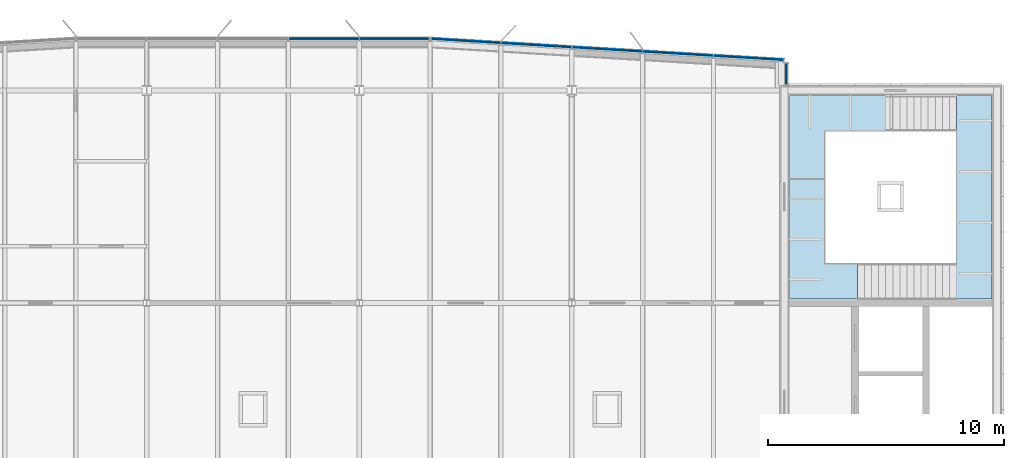
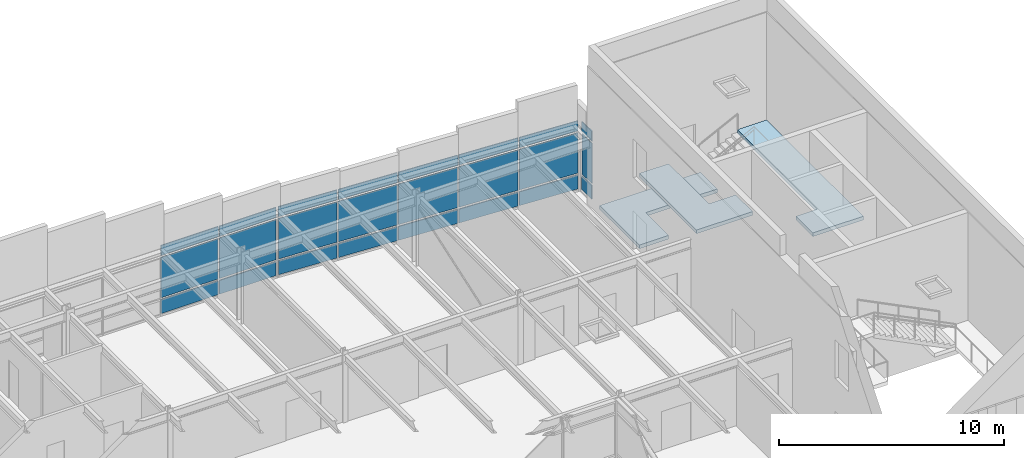
# One storey, part 14 of 23: 24 plates, 3 slabs, 4 elements without a shape of their own.
"""IFC4 building model written with IfcOpenShell, lengths in metres."""

from ifc_helpers import new_model, si_unit, direction, frame, origin, origin_2d, place, context, subcontext, project, spatial, polyline, rectangle, outline, extrude, material, layer, layer_set, type_object, element, aggregate, save


model = new_model("IFC4")

# Units and contexts
model_context = context("Model", 3, precision=1e-05, world=origin(), true_north=direction((0.0, 1.0)))
body_context = subcontext(model_context, "Body", "Model", "MODEL_VIEW")
ifc_project = project(units=[si_unit("LENGTHUNIT", "METRE"), si_unit("AREAUNIT", "SQUARE_METRE"), si_unit("VOLUMEUNIT", "CUBIC_METRE"), si_unit("PLANEANGLEUNIT", "RADIAN"), si_unit("MASSUNIT", "GRAM", prefix="KILO")], contexts=[model_context])

# Site, building, storey
site_placement = place(None, origin())
site = spatial("IfcSite", under=ifc_project, at=site_placement, CompositionType="ELEMENT")
building_placement = place(site_placement, origin())
building = spatial("IfcBuilding", under=site, at=building_placement, Name="Azimuth Sports and Learning Centre", CompositionType="ELEMENT")
storey_placement = place(building_placement, frame((0.0, 0.0, 75.300048828125)))
storey = spatial("IfcBuildingStorey", under=building, at=storey_placement, Name="L17", CompositionType="ELEMENT", Elevation=75.300048828125)

# Stair, slabs
ifc_material_1 = material(Name="Concrete C32/40", Category="concrete")
stair_type = type_object("IfcStairType", Name="Square-well stair core 3900 storey", PredefinedType="THREE_QUARTER_TURN_STAIR", material=ifc_material_1)
stair_placement = place(storey_placement, origin())
stair = element("IfcStair", 1, at=stair_placement, inside=storey, type_object=stair_type, Name="Stair E2 L17-Roof", PredefinedType="THREE_QUARTER_TURN_STAIR")
ifc_material_2 = material(Name="Concrete C32/40", Category="concrete")
ifc_layer_1 = layer(ifc_material_2, 0.199951171875)
ifc_layer_set_1 = layer_set([ifc_layer_1], Name="Concrete C32/40")
slab_type = type_object("IfcSlabType", Name="Concrete stair landing", PredefinedType="LANDING", material=ifc_layer_set_1)
slab_1_placement = place(storey_placement, frame((0.0, 0.0, -0.199951171875)))
slab_1 = element("IfcSlab", 2, at=slab_1_placement, type_object=slab_type, Name="Stair E2 L17 landing 1", PredefinedType="LANDING", context=body_context, shape_type="SweptSolid", body=[
    extrude(outline(polyline([(108.2099609375, 116.7900390625), (108.2099609375, 113.25), (109.7099609375, 113.25), (109.7099609375, 115.2900390625), (113.389892578125, 115.2900390625), (113.389892578125, 116.7900390625), (108.2099609375, 116.7900390625)])), origin(), (0.0, 0.0, 1.0), 0.199951171875),
])
slab_2_placement = place(storey_placement, frame((0.0, 0.0, 1.449951171875)))
slab_2 = element("IfcSlab", 3, at=slab_2_placement, type_object=slab_type, Name="Stair E2 L17 landing 2", PredefinedType="LANDING", context=body_context, shape_type="SweptSolid", body=[
    extrude(outline(polyline([(115.2900390625, 115.2900390625), (115.2900390625, 109.659912109375), (114.18994140625, 109.659912109375), (114.18994140625, 108.159912109375), (116.7900390625, 108.159912109375), (116.7900390625, 116.7900390625), (115.289306640625, 116.7900390625), (115.289306640625, 115.2900390625), (115.2900390625, 115.2900390625)])), origin(), (0.0, 0.0, 1.0), 0.199951171875),
])
slab_3_placement = place(storey_placement, frame((0.0, 0.0, 3.699951171875)))
slab_3 = element("IfcSlab", 4, at=slab_3_placement, type_object=slab_type, Name="Stair E2 L17 landing 3", PredefinedType="LANDING", context=body_context, shape_type="SweptSolid", body=[
    extrude(outline(polyline([(109.7099609375, 109.659912109375), (109.7099609375, 113.25), (108.2099609375, 113.25), (108.2099609375, 108.159912109375), (111.0908203125, 108.159912109375), (111.0908203125, 109.659912109375), (109.7099609375, 109.659912109375)])), origin(), (0.0, 0.0, 1.0), 0.199951171875),
])
aggregate(stair, [slab_1, slab_2, slab_3])

# Curtain wall, plates
ifc_material_3 = material(Name="Aluminium and glass", Category="aluminium")
curtain_wall_type_1 = type_object("IfcCurtainWallType", Name="Curtain wall tower return 180", PredefinedType="NOTDEFINED", material=ifc_material_3)
curtain_wall_1_placement = place(storey_placement, origin())
curtain_wall_1 = element("IfcCurtainWall", 5, at=curtain_wall_1_placement, inside=storey, type_object=curtain_wall_type_1, Name="Curtain wall CW17-008", PredefinedType="NOTDEFINED")
ifc_material_4 = material(Name="Insulated aluminium panel", Category="aluminium")
ifc_layer_2 = layer(ifc_material_4, 0.050048828125)
ifc_layer_set_2 = layer_set([ifc_layer_2], Name="Insulated aluminium panel")
plate_type_1 = type_object("IfcPlateType", Name="Spandrel panel 50 mm", PredefinedType="CURTAIN_PANEL", material=ifc_layer_set_2)
plate_1_placement = place(storey_placement, frame((108.090087890625, 117.699951171875, 0.099853515625), z_axis=(0.0, 0.0, 1.0), x_axis=(0.0, 1.0, 0.0)))
plate_1 = element("IfcPlate", 6, at=plate_1_placement, type_object=plate_type_1, Name="CW17-008 panel 1.1", PredefinedType="CURTAIN_PANEL", context=body_context, shape_type="SweptSolid", body=[
    extrude(rectangle(XDim=0.8798828125, YDim=0.050048828125, at=origin_2d()), origin(), (0.0, 0.0, 1.0), 0.75),
])
plate_2_placement = place(storey_placement, frame((108.090087890625, 117.699951171875, 3.25), z_axis=(0.0, 0.0, 1.0), x_axis=(0.0, 1.0, 0.0)))
plate_2 = element("IfcPlate", 7, at=plate_2_placement, type_object=plate_type_1, Name="CW17-008 panel 1.3", PredefinedType="CURTAIN_PANEL", context=body_context, shape_type="SweptSolid", body=[
    extrude(rectangle(XDim=0.8798828125, YDim=0.050048828125, at=origin_2d()), origin(), (0.0, 0.0, 1.0), 0.550048828125),
])

ifc_material_5 = material(Name="Aluminium and glass", Category="aluminium")
curtain_wall_type_2 = type_object("IfcCurtainWallType", Name="Curtain wall tower north 180", PredefinedType="NOTDEFINED", material=ifc_material_5)
curtain_wall_2_placement = place(storey_placement, origin())
curtain_wall_2 = element("IfcCurtainWall", 8, at=curtain_wall_2_placement, inside=storey, type_object=curtain_wall_type_2, Name="Curtain wall CW17-009", PredefinedType="NOTDEFINED")
plate_3_placement = place(storey_placement, frame((106.490478515625, 118.380615234375, 0.099853515625), z_axis=(0.0, 0.0, 1.0), x_axis=(-0.998204863401, 0.059891991812, 0.0)))
plate_3 = element("IfcPlate", 9, at=plate_3_placement, type_object=plate_type_1, Name="CW17-009 panel 1.1", PredefinedType="CURTAIN_PANEL", context=body_context, shape_type="SweptSolid", body=[
    extrude(rectangle(XDim=2.915283203125, YDim=0.050048828125, at=origin_2d()), origin(), (0.0, 0.0, 1.0), 0.75),
])
plate_4_placement = place(storey_placement, frame((106.490478515625, 118.380615234375, 3.25), z_axis=(0.0, 0.0, 1.0), x_axis=(-0.998204863401, 0.059891991812, 0.0)))
plate_4 = element("IfcPlate", 10, at=plate_4_placement, type_object=plate_type_1, Name="CW17-009 panel 1.3", PredefinedType="CURTAIN_PANEL", context=body_context, shape_type="SweptSolid", body=[
    extrude(rectangle(XDim=2.915283203125, YDim=0.050048828125, at=origin_2d()), origin(), (0.0, 0.0, 1.0), 0.550048828125),
])
plate_5_placement = place(storey_placement, frame((103.50537109375, 118.559814453125, 0.099853515625), z_axis=(0.0, 0.0, 1.0), x_axis=(-0.998204863401, 0.059891991812, 0.0)))
plate_5 = element("IfcPlate", 11, at=plate_5_placement, type_object=plate_type_1, Name="CW17-009 panel 2.1", PredefinedType="CURTAIN_PANEL", context=body_context, shape_type="SweptSolid", body=[
    extrude(rectangle(XDim=2.9453125, YDim=0.050048828125, at=origin_2d()), origin(), (0.0, 0.0, 1.0), 0.75),
])
plate_6_placement = place(storey_placement, frame((103.50537109375, 118.559814453125, 3.25), z_axis=(0.0, 0.0, 1.0), x_axis=(-0.998204863401, 0.059891991812, 0.0)))
plate_6 = element("IfcPlate", 12, at=plate_6_placement, type_object=plate_type_1, Name="CW17-009 panel 2.3", PredefinedType="CURTAIN_PANEL", context=body_context, shape_type="SweptSolid", body=[
    extrude(rectangle(XDim=2.9453125, YDim=0.050048828125, at=origin_2d()), origin(), (0.0, 0.0, 1.0), 0.550048828125),
])
plate_7_placement = place(storey_placement, frame((100.50537109375, 118.73974609375, 0.099853515625), z_axis=(0.0, 0.0, 1.0), x_axis=(-0.998204863401, 0.059891991812, 0.0)))
plate_7 = element("IfcPlate", 13, at=plate_7_placement, type_object=plate_type_1, Name="CW17-009 panel 3.1", PredefinedType="CURTAIN_PANEL", context=body_context, shape_type="SweptSolid", body=[
    extrude(rectangle(XDim=2.9453125, YDim=0.050048828125, at=origin_2d()), origin(), (0.0, 0.0, 1.0), 0.75),
])
plate_8_placement = place(storey_placement, frame((100.50537109375, 118.73974609375, 3.25), z_axis=(0.0, 0.0, 1.0), x_axis=(-0.998204863401, 0.059891991812, 0.0)))
plate_8 = element("IfcPlate", 14, at=plate_8_placement, type_object=plate_type_1, Name="CW17-009 panel 3.3", PredefinedType="CURTAIN_PANEL", context=body_context, shape_type="SweptSolid", body=[
    extrude(rectangle(XDim=2.9453125, YDim=0.050048828125, at=origin_2d()), origin(), (0.0, 0.0, 1.0), 0.550048828125),
])
plate_9_placement = place(storey_placement, frame((97.50537109375, 118.919921875, 0.099853515625), z_axis=(0.0, 0.0, 1.0), x_axis=(-0.998204863401, 0.059891991812, 0.0)))
plate_9 = element("IfcPlate", 15, at=plate_9_placement, type_object=plate_type_1, Name="CW17-009 panel 4.1", PredefinedType="CURTAIN_PANEL", context=body_context, shape_type="SweptSolid", body=[
    extrude(rectangle(XDim=2.9453125, YDim=0.050048828125, at=origin_2d()), origin(), (0.0, 0.0, 1.0), 0.75),
])
plate_10_placement = place(storey_placement, frame((97.50537109375, 118.919921875, 3.25), z_axis=(0.0, 0.0, 1.0), x_axis=(-0.998204863401, 0.059891991812, 0.0)))
plate_10 = element("IfcPlate", 16, at=plate_10_placement, type_object=plate_type_1, Name="CW17-009 panel 4.3", PredefinedType="CURTAIN_PANEL", context=body_context, shape_type="SweptSolid", body=[
    extrude(rectangle(XDim=2.9453125, YDim=0.050048828125, at=origin_2d()), origin(), (0.0, 0.0, 1.0), 0.550048828125),
])
plate_11_placement = place(storey_placement, frame((94.520263671875, 119.098876953125, 0.099853515625), z_axis=(0.0, 0.0, 1.0), x_axis=(-0.998204863401, 0.059891991812, 0.0)))
plate_11 = element("IfcPlate", 17, at=plate_11_placement, type_object=plate_type_1, Name="CW17-009 panel 5.1", PredefinedType="CURTAIN_PANEL", context=body_context, shape_type="SweptSolid", body=[
    extrude(rectangle(XDim=2.915283203125, YDim=0.050048828125, at=origin_2d()), origin(), (0.0, 0.0, 1.0), 0.75),
])
plate_12_placement = place(storey_placement, frame((94.520263671875, 119.098876953125, 3.25), z_axis=(0.0, 0.0, 1.0), x_axis=(-0.998204863401, 0.059891991812, 0.0)))
plate_12 = element("IfcPlate", 18, at=plate_12_placement, type_object=plate_type_1, Name="CW17-009 panel 5.3", PredefinedType="CURTAIN_PANEL", context=body_context, shape_type="SweptSolid", body=[
    extrude(rectangle(XDim=2.915283203125, YDim=0.050048828125, at=origin_2d()), origin(), (0.0, 0.0, 1.0), 0.550048828125),
])

curtain_wall_3_placement = place(storey_placement, origin())
curtain_wall_3 = element("IfcCurtainWall", 19, at=curtain_wall_3_placement, inside=storey, type_object=curtain_wall_type_2, Name="Curtain wall CW17-010", PredefinedType="NOTDEFINED")
plate_13_placement = place(storey_placement, frame((91.48779296875, 119.18994140625, 0.099853515625), z_axis=(0.0, 0.0, 1.0), x_axis=(-1.0, 0.0, 0.0)))
plate_13 = element("IfcPlate", 20, at=plate_13_placement, type_object=plate_type_1, Name="CW17-010 panel 1.1", PredefinedType="CURTAIN_PANEL", context=body_context, shape_type="SweptSolid", body=[
    extrude(rectangle(XDim=2.915283203125, YDim=0.050048828125, at=origin_2d()), origin(), (0.0, 0.0, 1.0), 0.75),
])
plate_14_placement = place(storey_placement, frame((91.48779296875, 119.18994140625, 3.25), z_axis=(0.0, 0.0, 1.0), x_axis=(-1.0, 0.0, 0.0)))
plate_14 = element("IfcPlate", 21, at=plate_14_placement, type_object=plate_type_1, Name="CW17-010 panel 1.3", PredefinedType="CURTAIN_PANEL", context=body_context, shape_type="SweptSolid", body=[
    extrude(rectangle(XDim=2.915283203125, YDim=0.050048828125, at=origin_2d()), origin(), (0.0, 0.0, 1.0), 0.550048828125),
])
plate_15_placement = place(storey_placement, frame((88.5, 119.18994140625, 0.099853515625), z_axis=(0.0, 0.0, 1.0), x_axis=(-1.0, 0.0, 0.0)))
plate_15 = element("IfcPlate", 22, at=plate_15_placement, type_object=plate_type_1, Name="CW17-010 panel 2.1", PredefinedType="CURTAIN_PANEL", context=body_context, shape_type="SweptSolid", body=[
    extrude(rectangle(XDim=2.93994140625, YDim=0.050048828125, at=origin_2d()), origin(), (0.0, 0.0, 1.0), 0.75),
])
plate_16_placement = place(storey_placement, frame((88.5, 119.18994140625, 3.25), z_axis=(0.0, 0.0, 1.0), x_axis=(-1.0, 0.0, 0.0)))
plate_16 = element("IfcPlate", 23, at=plate_16_placement, type_object=plate_type_1, Name="CW17-010 panel 2.3", PredefinedType="CURTAIN_PANEL", context=body_context, shape_type="SweptSolid", body=[
    extrude(rectangle(XDim=2.93994140625, YDim=0.050048828125, at=origin_2d()), origin(), (0.0, 0.0, 1.0), 0.550048828125),
])

# Plate
ifc_material_6 = material(Name="Glass", Category="glass")
ifc_layer_3 = layer(ifc_material_6, 0.031982421875)
ifc_layer_set_3 = layer_set([ifc_layer_3], Name="Glass")
plate_type_2 = type_object("IfcPlateType", Name="Vision glass 32 mm", PredefinedType="CURTAIN_PANEL", material=ifc_layer_set_3)
plate_17_placement = place(storey_placement, frame((108.090087890625, 117.699951171875, 0.9501953125), z_axis=(0.0, 0.0, 1.0), x_axis=(0.0, 1.0, 0.0)))
plate_17 = element("IfcPlate", 24, at=plate_17_placement, type_object=plate_type_2, Name="CW17-008 panel 1.2", PredefinedType="CURTAIN_PANEL", context=body_context, shape_type="SweptSolid", body=[
    extrude(rectangle(XDim=0.8798828125, YDim=0.031982421875, at=origin_2d()), origin(), (0.0, 0.0, 1.0), 2.199951171875),
])

aggregate(curtain_wall_1, [plate_1, plate_17, plate_2])

plate_18_placement = place(storey_placement, frame((106.490478515625, 118.380615234375, 0.9501953125), z_axis=(0.0, 0.0, 1.0), x_axis=(-0.998204863401, 0.059891991812, 0.0)))
plate_18 = element("IfcPlate", 25, at=plate_18_placement, type_object=plate_type_2, Name="CW17-009 panel 1.2", PredefinedType="CURTAIN_PANEL", context=body_context, shape_type="SweptSolid", body=[
    extrude(rectangle(XDim=2.915283203125, YDim=0.031982421875, at=origin_2d()), origin(), (0.0, 0.0, 1.0), 2.199951171875),
])

plate_19_placement = place(storey_placement, frame((103.50537109375, 118.559814453125, 0.9501953125), z_axis=(0.0, 0.0, 1.0), x_axis=(-0.998204863401, 0.059891991812, 0.0)))
plate_19 = element("IfcPlate", 26, at=plate_19_placement, type_object=plate_type_2, Name="CW17-009 panel 2.2", PredefinedType="CURTAIN_PANEL", context=body_context, shape_type="SweptSolid", body=[
    extrude(rectangle(XDim=2.9453125, YDim=0.031982421875, at=origin_2d()), origin(), (0.0, 0.0, 1.0), 2.199951171875),
])

plate_20_placement = place(storey_placement, frame((100.50537109375, 118.73974609375, 0.9501953125), z_axis=(0.0, 0.0, 1.0), x_axis=(-0.998204863401, 0.059891991812, 0.0)))
plate_20 = element("IfcPlate", 27, at=plate_20_placement, type_object=plate_type_2, Name="CW17-009 panel 3.2", PredefinedType="CURTAIN_PANEL", context=body_context, shape_type="SweptSolid", body=[
    extrude(rectangle(XDim=2.9453125, YDim=0.031982421875, at=origin_2d()), origin(), (0.0, 0.0, 1.0), 2.199951171875),
])

plate_21_placement = place(storey_placement, frame((97.50537109375, 118.919921875, 0.9501953125), z_axis=(0.0, 0.0, 1.0), x_axis=(-0.998204863401, 0.059891991812, 0.0)))
plate_21 = element("IfcPlate", 28, at=plate_21_placement, type_object=plate_type_2, Name="CW17-009 panel 4.2", PredefinedType="CURTAIN_PANEL", context=body_context, shape_type="SweptSolid", body=[
    extrude(rectangle(XDim=2.9453125, YDim=0.031982421875, at=origin_2d()), origin(), (0.0, 0.0, 1.0), 2.199951171875),
])

plate_22_placement = place(storey_placement, frame((94.520263671875, 119.098876953125, 0.9501953125), z_axis=(0.0, 0.0, 1.0), x_axis=(-0.998204863401, 0.059891991812, 0.0)))
plate_22 = element("IfcPlate", 29, at=plate_22_placement, type_object=plate_type_2, Name="CW17-009 panel 5.2", PredefinedType="CURTAIN_PANEL", context=body_context, shape_type="SweptSolid", body=[
    extrude(rectangle(XDim=2.915283203125, YDim=0.031982421875, at=origin_2d()), origin(), (0.0, 0.0, 1.0), 2.199951171875),
])

aggregate(curtain_wall_2, [plate_3, plate_18, plate_4, plate_5, plate_19, plate_6, plate_7, plate_20, plate_8, plate_9, plate_21, plate_10, plate_11, plate_22, plate_12])

plate_23_placement = place(storey_placement, frame((91.48779296875, 119.18994140625, 0.9501953125), z_axis=(0.0, 0.0, 1.0), x_axis=(-1.0, 0.0, 0.0)))
plate_23 = element("IfcPlate", 30, at=plate_23_placement, type_object=plate_type_2, Name="CW17-010 panel 1.2", PredefinedType="CURTAIN_PANEL", context=body_context, shape_type="SweptSolid", body=[
    extrude(rectangle(XDim=2.915283203125, YDim=0.031982421875, at=origin_2d()), origin(), (0.0, 0.0, 1.0), 2.199951171875),
])

plate_24_placement = place(storey_placement, frame((88.5, 119.18994140625, 0.9501953125), z_axis=(0.0, 0.0, 1.0), x_axis=(-1.0, 0.0, 0.0)))
plate_24 = element("IfcPlate", 31, at=plate_24_placement, type_object=plate_type_2, Name="CW17-010 panel 2.2", PredefinedType="CURTAIN_PANEL", context=body_context, shape_type="SweptSolid", body=[
    extrude(rectangle(XDim=2.93994140625, YDim=0.031982421875, at=origin_2d()), origin(), (0.0, 0.0, 1.0), 2.199951171875),
])

aggregate(curtain_wall_3, [plate_13, plate_23, plate_14, plate_15, plate_24, plate_16])

save(model, "model.ifc")
